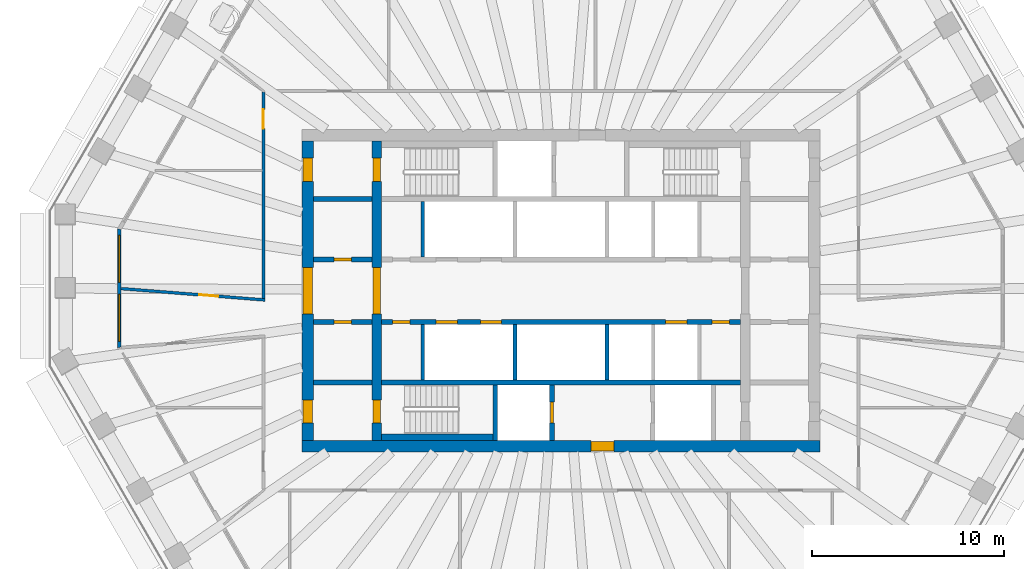
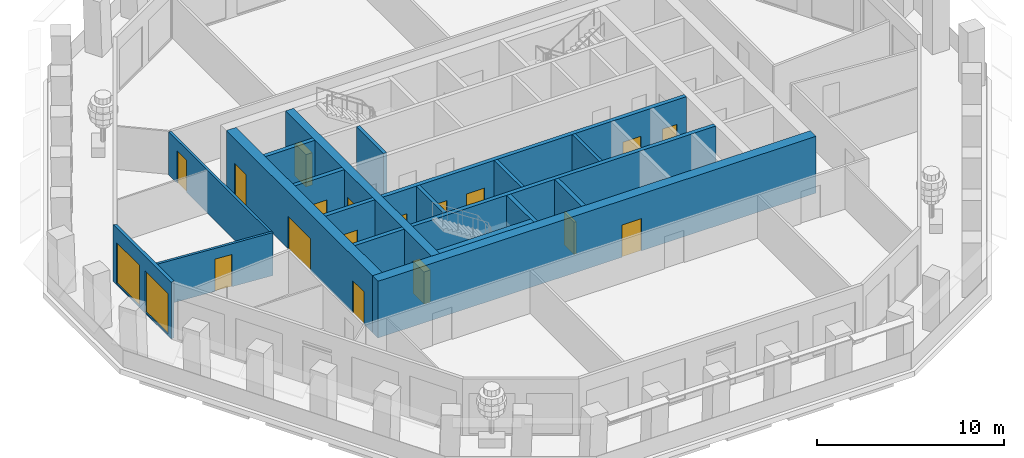
# One storey, part 4 of 12: 19 walls, 17 doors, 2 windows, 19 openings.
"""IFC4 building model written with IfcOpenShell, lengths in metres."""

from ifc_helpers import new_model, si_unit, direction, frame, frame_2d, origin, place, context, subcontext, project, spatial, polyline, rectangle, outline, extrude, material, layer, layer_set, type_object, element, fill, save


model = new_model("IFC4")

# Units and contexts
model_context = context("Model", 3, precision=1e-05, world=origin(), true_north=direction((0.0, 1.0)))
body_context = subcontext(model_context, "Body", "Model", "MODEL_VIEW")
ifc_project = project(units=[si_unit("LENGTHUNIT", "METRE"), si_unit("AREAUNIT", "SQUARE_METRE"), si_unit("VOLUMEUNIT", "CUBIC_METRE"), si_unit("PLANEANGLEUNIT", "RADIAN"), si_unit("MASSUNIT", "GRAM", prefix="KILO")], contexts=[model_context])

# Site, building, storey
site_placement = place(None, origin())
site = spatial("IfcSite", under=ifc_project, at=site_placement, CompositionType="ELEMENT")
building_placement = place(site_placement, origin())
building = spatial("IfcBuilding", under=site, at=building_placement, Name="Frailejon Research Tower", CompositionType="ELEMENT")
storey_placement = place(building_placement, frame((0.0, 0.0, 215.39990234375)))
storey = spatial("IfcBuildingStorey", under=building, at=storey_placement, Name="L46", CompositionType="ELEMENT", Elevation=215.39990234375)

# Wall, openings, doors
ifc_material_1 = material(Name="Concrete C60/75", Category="concrete")
ifc_layer_1 = layer(ifc_material_1, 0.5)
ifc_layer_set_1 = layer_set([ifc_layer_1], Name="Core shear wall 500 C60/75")
wall_type_1 = type_object("IfcWallType", Name="Core shear wall 500 C60/75", PredefinedType="SHEAR", material=ifc_layer_set_1)
wall_1_placement = place(storey_placement, frame((-9.60009765625, -7.800048828125, 0.0), z_axis=(0.0, 0.0, 1.0), x_axis=(0.0, 1.0, 0.0)))
wall_1 = element("IfcWall", 1, at=wall_1_placement, inside=storey, type_object=wall_type_1, Name="Core shear wall", PredefinedType="SHEAR", context=body_context, shape_type="SweptSolid", body=[
    extrude(rectangle(XDim=15.60009765625, YDim=0.5, at=frame_2d((7.800048828125, 0.0))), origin(), (0.0, 0.0, 1.0), 3.7001953125),
])
opening_1_placement = place(wall_1_placement, frame((6.60009765625, 0.0, 0.0)))
opening_1 = element("IfcOpeningElement", 2, at=opening_1_placement, cuts=wall_1, Name="Opening D2", PredefinedType="OPENING", context=body_context, shape_type="SweptSolid", body=[
    extrude(rectangle(XDim=2.39990234375, YDim=2.10009765625, at=frame_2d((1.199951171875, 1.050048828125))), frame((0.0, 0.260009765625, 0.0), z_axis=(0.0, -1.0, 0.0), x_axis=(1.0, 0.0, 0.0)), (0.0, 0.0, 1.0), 0.52001953125),
])
opening_2_placement = place(wall_1_placement, frame((13.5, 0.0, 0.0)))
opening_2 = element("IfcOpeningElement", 3, at=opening_2_placement, cuts=wall_1, Name="Opening D1", PredefinedType="OPENING", context=body_context, shape_type="SweptSolid", body=[
    extrude(rectangle(XDim=1.199951171875, YDim=2.10009765625, at=frame_2d((0.60009765625, 1.050048828125))), frame((0.0, 0.260009765625, 0.0), z_axis=(0.0, -1.0, 0.0), x_axis=(1.0, 0.0, 0.0)), (0.0, 0.0, 1.0), 0.52001953125),
])
opening_3_placement = place(wall_1_placement, frame((0.89990234375, 0.0, 0.0)))
opening_3 = element("IfcOpeningElement", 4, at=opening_3_placement, cuts=wall_1, Name="Opening D1", PredefinedType="OPENING", context=body_context, shape_type="SweptSolid", body=[
    extrude(rectangle(XDim=1.199951171875, YDim=2.10009765625, at=frame_2d((0.60009765625, 1.050048828125))), frame((0.0, 0.260009765625, 0.0), z_axis=(0.0, -1.0, 0.0), x_axis=(1.0, 0.0, 0.0)), (0.0, 0.0, 1.0), 0.52001953125),
])
ifc_material_2 = material(Name="Steel", Category="steel")
door_type_1 = type_object("IfcDoorType", Name="Lobby double door", OperationType="DOUBLE_DOOR_SINGLE_SWING", PredefinedType="DOOR", material=ifc_material_2)
door_1_placement = place(opening_1_placement, origin())
door_1 = element("IfcDoor", 5, at=door_1_placement, inside=storey, type_object=door_type_1, Name="Lobby door", OperationType="DOUBLE_DOOR_SINGLE_SWING", OverallHeight=2.10009765625, OverallWidth=2.39990234375, PredefinedType="DOOR", context=body_context, shape_type="SweptSolid", body=[
    extrude(rectangle(XDim=2.39990234375, YDim=2.10009765625, at=frame_2d((1.199951171875, 1.050048828125))), frame((0.0, 0.199951171875, 0.0), z_axis=(0.0, -1.0, 0.0), x_axis=(1.0, 0.0, 0.0)), (0.0, 0.0, 1.0), 0.39990234375),
])
fill(opening_1, door_1)
ifc_material_3 = material(Name="Steel", Category="steel")
door_type_2 = type_object("IfcDoorType", Name="Stair door", OperationType="SINGLE_SWING_LEFT", PredefinedType="DOOR", material=ifc_material_3)
door_2_placement = place(opening_2_placement, origin())
door_2 = element("IfcDoor", 6, at=door_2_placement, inside=storey, type_object=door_type_2, Name="Stair door ST1", OperationType="SINGLE_SWING_RIGHT", OverallHeight=2.10009765625, OverallWidth=1.199951171875, PredefinedType="DOOR", context=body_context, shape_type="SweptSolid", body=[
    extrude(rectangle(XDim=1.199951171875, YDim=2.10009765625, at=frame_2d((0.60009765625, 1.050048828125))), frame((0.0, 0.199951171875, 0.0), z_axis=(0.0, -1.0, 0.0), x_axis=(1.0, 0.0, 0.0)), (0.0, 0.0, 1.0), 0.39990234375),
])
fill(opening_2, door_2)
door_3_placement = place(opening_3_placement, origin())
door_3 = element("IfcDoor", 7, at=door_3_placement, inside=storey, type_object=door_type_2, Name="Stair door ST2", OperationType="SINGLE_SWING_RIGHT", OverallHeight=2.10009765625, OverallWidth=1.199951171875, PredefinedType="DOOR", context=body_context, shape_type="SweptSolid", body=[
    extrude(rectangle(XDim=1.199951171875, YDim=2.10009765625, at=frame_2d((0.60009765625, 1.050048828125))), frame((0.0, 0.199951171875, 0.0), z_axis=(0.0, -1.0, 0.0), x_axis=(1.0, 0.0, 0.0)), (0.0, 0.0, 1.0), 0.39990234375),
])
fill(opening_3, door_3)

# Wall, opening, door
ifc_material_4 = material(Name="Concrete C60/75", Category="concrete")
ifc_layer_2 = layer(ifc_material_4, 0.60009765625)
ifc_layer_set_2 = layer_set([ifc_layer_2], Name="Core shear wall 600 C60/75")
wall_type_2 = type_object("IfcWallType", Name="Core shear wall 600 C60/75", PredefinedType="SHEAR", material=ifc_layer_set_2)
wall_2_placement = place(storey_placement, frame((-13.5, -8.10009765625, 0.0), z_axis=(0.0, 0.0, 1.0), x_axis=(1.0, 0.0, 0.0)))
wall_2 = element("IfcWall", 8, at=wall_2_placement, inside=storey, type_object=wall_type_2, Name="Core shear wall", PredefinedType="SHEAR", context=body_context, shape_type="SweptSolid", body=[
    extrude(rectangle(XDim=27.0, YDim=0.60009765625, at=frame_2d((13.5, 0.0))), origin(), (0.0, 0.0, 1.0), 3.7001953125),
])
opening_4_placement = place(wall_2_placement, frame((15.050048828125, 0.0, 0.0)))
opening_4 = element("IfcOpeningElement", 9, at=opening_4_placement, cuts=wall_2, Name="Opening D3", PredefinedType="OPENING", context=body_context, shape_type="SweptSolid", body=[
    extrude(rectangle(XDim=1.199951171875, YDim=2.10009765625, at=frame_2d((0.60009765625, 1.050048828125))), frame((0.0, 0.31005859375, 0.0), z_axis=(0.0, -1.0, 0.0), x_axis=(1.0, 0.0, 0.0)), (0.0, 0.0, 1.0), 0.6201171875),
])
ifc_material_5 = material(Name="Steel", Category="steel")
door_type_3 = type_object("IfcDoorType", Name="Firefighting lobby door", OperationType="SINGLE_SWING_LEFT", PredefinedType="DOOR", material=ifc_material_5)
door_4_placement = place(opening_4_placement, origin())
door_4 = element("IfcDoor", 10, at=door_4_placement, inside=storey, type_object=door_type_3, Name="Firefighting lobby door", OperationType="SINGLE_SWING_RIGHT", OverallHeight=2.10009765625, OverallWidth=1.199951171875, PredefinedType="DOOR", context=body_context, shape_type="SweptSolid", body=[
    extrude(rectangle(XDim=1.199951171875, YDim=2.10009765625, at=frame_2d((0.60009765625, 1.050048828125))), frame((0.0, 0.25, 0.0), z_axis=(0.0, -1.0, 0.0), x_axis=(1.0, 0.0, 0.0)), (0.0, 0.0, 1.0), 0.5),
])
fill(opening_4, door_4)

# Wall, openings, doors
wall_3_placement = place(storey_placement, frame((-13.199951171875, -7.800048828125, 0.0), z_axis=(0.0, 0.0, 1.0), x_axis=(0.0, 1.0, 0.0)))
wall_3 = element("IfcWall", 11, at=wall_3_placement, inside=storey, type_object=wall_type_2, Name="Core shear wall", PredefinedType="SHEAR", context=body_context, shape_type="SweptSolid", body=[
    extrude(rectangle(XDim=15.60009765625, YDim=0.60009765625, at=frame_2d((7.800048828125, 0.0))), origin(), (0.0, 0.0, 1.0), 3.7001953125),
])
opening_5_placement = place(wall_3_placement, frame((6.60009765625, 0.0, 0.0)))
opening_5 = element("IfcOpeningElement", 12, at=opening_5_placement, cuts=wall_3, Name="Opening D2", PredefinedType="OPENING", context=body_context, shape_type="SweptSolid", body=[
    extrude(rectangle(XDim=2.39990234375, YDim=2.10009765625, at=frame_2d((1.199951171875, 1.050048828125))), frame((0.0, 0.31005859375, 0.0), z_axis=(0.0, -1.0, 0.0), x_axis=(1.0, 0.0, 0.0)), (0.0, 0.0, 1.0), 0.6201171875),
])
opening_6_placement = place(wall_3_placement, frame((13.5, 0.0, 0.0)))
opening_6 = element("IfcOpeningElement", 13, at=opening_6_placement, cuts=wall_3, Name="Opening D7", PredefinedType="OPENING", context=body_context, shape_type="SweptSolid", body=[
    extrude(rectangle(XDim=1.199951171875, YDim=2.10009765625, at=frame_2d((0.60009765625, 1.050048828125))), frame((0.0, 0.31005859375, 0.0), z_axis=(0.0, -1.0, 0.0), x_axis=(1.0, 0.0, 0.0)), (0.0, 0.0, 1.0), 0.6201171875),
])
opening_7_placement = place(wall_3_placement, frame((0.89990234375, 0.0, 0.0)))
opening_7 = element("IfcOpeningElement", 14, at=opening_7_placement, cuts=wall_3, Name="Opening D7", PredefinedType="OPENING", context=body_context, shape_type="SweptSolid", body=[
    extrude(rectangle(XDim=1.199951171875, YDim=2.10009765625, at=frame_2d((0.60009765625, 1.050048828125))), frame((0.0, 0.31005859375, 0.0), z_axis=(0.0, -1.0, 0.0), x_axis=(1.0, 0.0, 0.0)), (0.0, 0.0, 1.0), 0.6201171875),
])
door_5_placement = place(opening_5_placement, origin())
door_5 = element("IfcDoor", 15, at=door_5_placement, inside=storey, type_object=door_type_1, Name="Lobby door", OperationType="DOUBLE_DOOR_SINGLE_SWING", OverallHeight=2.10009765625, OverallWidth=2.39990234375, PredefinedType="DOOR", context=body_context, shape_type="SweptSolid", body=[
    extrude(rectangle(XDim=2.39990234375, YDim=2.10009765625, at=frame_2d((1.199951171875, 1.050048828125))), frame((0.0, 0.25, 0.0), z_axis=(0.0, -1.0, 0.0), x_axis=(1.0, 0.0, 0.0)), (0.0, 0.0, 1.0), 0.5),
])
fill(opening_5, door_5)
ifc_material_6 = material(Name="Steel", Category="steel")
door_type_4 = type_object("IfcDoorType", Name="Stair exit door", OperationType="SINGLE_SWING_LEFT", PredefinedType="DOOR", material=ifc_material_6)
door_6_placement = place(opening_6_placement, origin())
door_6 = element("IfcDoor", 16, at=door_6_placement, inside=storey, type_object=door_type_4, Name="Stair exit door ST1", OperationType="SINGLE_SWING_LEFT", OverallHeight=2.10009765625, OverallWidth=1.199951171875, PredefinedType="DOOR", context=body_context, shape_type="SweptSolid", body=[
    extrude(rectangle(XDim=1.199951171875, YDim=2.10009765625, at=frame_2d((0.60009765625, 1.050048828125))), frame((0.0, 0.25, 0.0), z_axis=(0.0, -1.0, 0.0), x_axis=(1.0, 0.0, 0.0)), (0.0, 0.0, 1.0), 0.5),
])
fill(opening_6, door_6)
door_7_placement = place(opening_7_placement, origin())
door_7 = element("IfcDoor", 17, at=door_7_placement, inside=storey, type_object=door_type_4, Name="Stair exit door ST2", OperationType="SINGLE_SWING_LEFT", OverallHeight=2.10009765625, OverallWidth=1.199951171875, PredefinedType="DOOR", context=body_context, shape_type="SweptSolid", body=[
    extrude(rectangle(XDim=1.199951171875, YDim=2.10009765625, at=frame_2d((0.60009765625, 1.050048828125))), frame((0.0, 0.25, 0.0), z_axis=(0.0, -1.0, 0.0), x_axis=(1.0, 0.0, 0.0)), (0.0, 0.0, 1.0), 0.5),
])
fill(opening_7, door_7)

# Wall, opening, door
ifc_material_7 = material(Name="Gypsum board and masonry partition", Category="masonry")
ifc_layer_3 = layer(ifc_material_7, 0.14990234375)
ifc_layer_set_3 = layer_set([ifc_layer_3], Name="Corridor wall EI 60, gypsum on steel studs 150")
wall_type_3 = type_object("IfcWallType", Name="Corridor wall EI 60, gypsum on steel studs 150", PredefinedType="PARTITIONING", material=ifc_layer_set_3)
wall_4_placement = place(storey_placement, frame((-15.5, -0.40087890625, 0.0), z_axis=(0.0, 0.0, 1.0), x_axis=(0.0, 1.0, 0.0)))
wall_4 = element("IfcWall", 18, at=wall_4_placement, inside=storey, type_object=wall_type_3, Name="T:IW:L46:005", PredefinedType="PARTITIONING", context=body_context, shape_type="SweptSolid", body=[
    extrude(rectangle(XDim=10.7509765625, YDim=0.14990234375, at=frame_2d((5.37548828125, 0.0))), origin(), (0.0, 0.0, 1.0), 2.800048828125),
])
opening_8_placement = place(wall_4_placement, frame((8.841552734375, 0.0, 0.0)))
opening_8 = element("IfcOpeningElement", 19, at=opening_8_placement, cuts=wall_4, Name="Opening D1952", PredefinedType="OPENING", context=body_context, shape_type="SweptSolid", body=[
    extrude(rectangle(XDim=1.0, YDim=2.10009765625, at=frame_2d((0.5, 1.050048828125))), frame((0.0, 0.0849609375, 0.0), z_axis=(0.0, -1.0, 0.0), x_axis=(1.0, 0.0, 0.0)), (0.0, 0.0, 1.0), 0.169921875),
])
ifc_material_8 = material(Name="Timber door leaf", Category="wood")
door_type_5 = type_object("IfcDoorType", Name="Door single leaf, timber, steel frame 1000", OperationType="NOTDEFINED", PredefinedType="DOOR", material=ifc_material_8)
door_8_placement = place(opening_8_placement, origin())
door_8 = element("IfcDoor", 20, at=door_8_placement, inside=storey, type_object=door_type_5, Name="D1952", OperationType="SINGLE_SWING_RIGHT", OverallHeight=2.10009765625, OverallWidth=1.0, PredefinedType="DOOR", context=body_context, shape_type="SweptSolid", body=[
    extrude(rectangle(XDim=1.0, YDim=2.10009765625, at=frame_2d((0.5, 1.050048828125))), frame((0.0, 0.02490234375, 0.0), z_axis=(0.0, -1.0, 0.0), x_axis=(1.0, 0.0, 0.0)), (0.0, 0.0, 1.0), 0.050048828125),
])
fill(opening_8, door_8)

wall_5_placement = place(storey_placement, frame((-22.906982421875, 0.10986328125, 0.0), z_axis=(0.0, 0.0, 1.0), x_axis=(0.996888805711, -0.078820739965, 0.0)))
wall_5 = element("IfcWall", 21, at=wall_5_placement, inside=storey, type_object=wall_type_3, Name="T:IW:L46:007", PredefinedType="PARTITIONING", context=body_context, shape_type="SweptSolid", body=[
    extrude(rectangle(XDim=7.505126953125, YDim=0.14990234375, at=frame_2d((3.75244140625, 0.0))), origin(), (0.0, 0.0, 1.0), 2.800048828125),
])
opening_9_placement = place(wall_5_placement, frame((4.07470703125, 0.0, 0.0)))
opening_9 = element("IfcOpeningElement", 22, at=opening_9_placement, cuts=wall_5, Name="Opening D1953", PredefinedType="OPENING", context=body_context, shape_type="SweptSolid", body=[
    extrude(rectangle(XDim=1.0, YDim=2.10009765625, at=frame_2d((0.5, 1.050048828125))), frame((0.0, 0.0849609375, 0.0), z_axis=(0.0, -1.0, 0.0), x_axis=(1.0, 0.0, 0.0)), (0.0, 0.0, 1.0), 0.169921875),
])
door_9_placement = place(opening_9_placement, origin())
door_9 = element("IfcDoor", 23, at=door_9_placement, inside=storey, type_object=door_type_5, Name="D1953", OperationType="SINGLE_SWING_RIGHT", OverallHeight=2.10009765625, OverallWidth=1.0, PredefinedType="DOOR", context=body_context, shape_type="SweptSolid", body=[
    extrude(rectangle(XDim=1.0, YDim=2.10009765625, at=frame_2d((0.5, 1.050048828125))), frame((0.0, 0.02490234375, 0.0), z_axis=(0.0, -1.0, 0.0), x_axis=(1.0, 0.0, 0.0)), (0.0, 0.0, 1.0), 0.050048828125),
])
fill(opening_9, door_9)

# Walls
ifc_material_9 = material(Name="Concrete C60/75", Category="concrete")
ifc_layer_4 = layer(ifc_material_9, 0.199951171875)
ifc_layer_set_4 = layer_set([ifc_layer_4], Name="Shaft wall 200 C60/75")
wall_type_4 = type_object("IfcWallType", Name="Shaft wall 200 C60/75", PredefinedType="SOLIDWALL", material=ifc_layer_set_4)
for number, where, z_axis, x_axis, name in (
    (24, (-7.199951171875, 1.75, 0.0), (0.0, 0.0, 1.0), (0.0, 1.0, 0.0), "Shaft wall"),
    (25, (-7.199951171875, -4.64990234375, 0.0), (0.0, 0.0, 1.0), (0.0, 1.0, 0.0), "Shaft wall"),
    (26, (-2.39990234375, -4.64990234375, 0.0), (0.0, 0.0, 1.0), (0.0, 1.0, 0.0), "Shaft wall"),
    (27, (2.39990234375, -4.64990234375, 0.0), (0.0, 0.0, 1.0), (0.0, 1.0, 0.0), "Shaft wall"),
):
    element("IfcWall", number, at=place(storey_placement, frame(where, z_axis=z_axis, x_axis=x_axis)), inside=storey, type_object=wall_type_4, Name=name, PredefinedType="SOLIDWALL", context=body_context, shape_type="SweptSolid", body=[
        extrude(rectangle(XDim=2.89990234375, YDim=0.199951171875, at=frame_2d((1.449951171875, 0.0))), origin(), (0.0, 0.0, 1.0), 3.7001953125),
    ])

# Wall, opening, door
ifc_material_10 = material(Name="Concrete C60/75", Category="concrete")
ifc_layer_5 = layer(ifc_material_10, 0.25)
ifc_layer_set_5 = layer_set([ifc_layer_5], Name="Shaft wall 250 C60/75")
wall_type_5 = type_object("IfcWallType", Name="Shaft wall 250 C60/75", PredefinedType="SOLIDWALL", material=ifc_layer_set_5)
wall_6_placement = place(storey_placement, frame((-12.89990234375, 1.625, 0.0), z_axis=(0.0, 0.0, 1.0), x_axis=(1.0, 0.0, 0.0)))
wall_6 = element("IfcWall", 28, at=wall_6_placement, inside=storey, type_object=wall_type_5, Name="Shaft wall", PredefinedType="SOLIDWALL", context=body_context, shape_type="SweptSolid", body=[
    extrude(rectangle(XDim=3.0498046875, YDim=0.25, at=frame_2d((1.52490234375, 0.0))), origin(), (0.0, 0.0, 1.0), 3.7001953125),
])
opening_10_placement = place(wall_6_placement, frame((1.074951171875, 0.0, 0.0)))
opening_10 = element("IfcOpeningElement", 29, at=opening_10_placement, cuts=wall_6, Name="Opening D8", PredefinedType="OPENING", context=body_context, shape_type="SweptSolid", body=[
    extrude(rectangle(XDim=0.89990234375, YDim=2.10009765625, at=frame_2d((0.449951171875, 1.050048828125))), frame((0.0, 0.135009765625, 0.0), z_axis=(0.0, -1.0, 0.0), x_axis=(1.0, 0.0, 0.0)), (0.0, 0.0, 1.0), 0.27001953125),
])
ifc_material_11 = material(Name="Steel", Category="steel")
door_type_6 = type_object("IfcDoorType", Name="Core room door", OperationType="SINGLE_SWING_LEFT", PredefinedType="DOOR", material=ifc_material_11)
door_10_placement = place(opening_10_placement, origin())
door_10 = element("IfcDoor", 30, at=door_10_placement, inside=storey, type_object=door_type_6, Name="Room door", OperationType="SINGLE_SWING_RIGHT", OverallHeight=2.10009765625, OverallWidth=0.89990234375, PredefinedType="DOOR", context=body_context, shape_type="SweptSolid", body=[
    extrude(rectangle(XDim=0.89990234375, YDim=2.10009765625, at=frame_2d((0.449951171875, 1.050048828125))), frame((0.0, 0.074951171875, 0.0), z_axis=(0.0, -1.0, 0.0), x_axis=(1.0, 0.0, 0.0)), (0.0, 0.0, 1.0), 0.14990234375),
])
fill(opening_10, door_10)

# Wall
wall_7_placement = place(storey_placement, frame((-12.89990234375, 4.77490234375, 0.0), z_axis=(0.0, 0.0, 1.0), x_axis=(1.0, 0.0, 0.0)))
element("IfcWall", 31, at=wall_7_placement, inside=storey, type_object=wall_type_5, Name="Shaft wall", PredefinedType="SOLIDWALL", context=body_context, shape_type="SweptSolid", body=[
    extrude(rectangle(XDim=3.0498046875, YDim=0.25, at=frame_2d((1.52490234375, 0.0))), origin(), (0.0, 0.0, 1.0), 3.7001953125),
])

# Wall, opening, door
wall_8_placement = place(storey_placement, frame((-12.89990234375, -1.625, 0.0), z_axis=(0.0, 0.0, 1.0), x_axis=(1.0, 0.0, 0.0)))
wall_8 = element("IfcWall", 32, at=wall_8_placement, inside=storey, type_object=wall_type_5, Name="Shaft wall", PredefinedType="SOLIDWALL", context=body_context, shape_type="SweptSolid", body=[
    extrude(rectangle(XDim=3.0498046875, YDim=0.25, at=frame_2d((1.52490234375, 0.0))), origin(), (0.0, 0.0, 1.0), 3.7001953125),
])
opening_11_placement = place(wall_8_placement, frame((1.074951171875, 0.0, 0.0)))
opening_11 = element("IfcOpeningElement", 33, at=opening_11_placement, cuts=wall_8, Name="Opening D8", PredefinedType="OPENING", context=body_context, shape_type="SweptSolid", body=[
    extrude(rectangle(XDim=0.89990234375, YDim=2.10009765625, at=frame_2d((0.449951171875, 1.050048828125))), frame((0.0, 0.135009765625, 0.0), z_axis=(0.0, -1.0, 0.0), x_axis=(1.0, 0.0, 0.0)), (0.0, 0.0, 1.0), 0.27001953125),
])
door_11_placement = place(opening_11_placement, origin())
door_11 = element("IfcDoor", 34, at=door_11_placement, inside=storey, type_object=door_type_6, Name="Room door", OperationType="SINGLE_SWING_RIGHT", OverallHeight=2.10009765625, OverallWidth=0.89990234375, PredefinedType="DOOR", context=body_context, shape_type="SweptSolid", body=[
    extrude(rectangle(XDim=0.89990234375, YDim=2.10009765625, at=frame_2d((0.449951171875, 1.050048828125))), frame((0.0, 0.074951171875, 0.0), z_axis=(0.0, -1.0, 0.0), x_axis=(1.0, 0.0, 0.0)), (0.0, 0.0, 1.0), 0.14990234375),
])
fill(opening_11, door_11)

# Wall, openings, doors
wall_9_placement = place(storey_placement, frame((-9.35009765625, -1.625, 0.0), z_axis=(0.0, 0.0, 1.0), x_axis=(1.0, 0.0, 0.0)))
wall_9 = element("IfcWall", 35, at=wall_9_placement, inside=storey, type_object=wall_type_5, Name="Shaft wall", PredefinedType="SOLIDWALL", context=body_context, shape_type="SweptSolid", body=[
    extrude(rectangle(XDim=18.7001953125, YDim=0.25, at=frame_2d((9.35009765625, 0.0))), origin(), (0.0, 0.0, 1.0), 3.7001953125),
])
opening_12_placement = place(wall_9_placement, frame((2.85009765625, 0.0, 0.0)))
opening_12 = element("IfcOpeningElement", 36, at=opening_12_placement, cuts=wall_9, Name="Opening LD", PredefinedType="OPENING", context=body_context, shape_type="SweptSolid", body=[
    extrude(rectangle(XDim=1.10009765625, YDim=2.10009765625, at=frame_2d((0.550048828125, 1.050048828125))), frame((0.0, 0.135009765625, 0.0), z_axis=(0.0, -1.0, 0.0), x_axis=(1.0, 0.0, 0.0)), (0.0, 0.0, 1.0), 0.27001953125),
])
opening_13_placement = place(wall_9_placement, frame((5.14990234375, 0.0, 0.0)))
opening_13 = element("IfcOpeningElement", 37, at=opening_13_placement, cuts=wall_9, Name="Opening LD", PredefinedType="OPENING", context=body_context, shape_type="SweptSolid", body=[
    extrude(rectangle(XDim=1.10009765625, YDim=2.10009765625, at=frame_2d((0.550048828125, 1.050048828125))), frame((0.0, 0.135009765625, 0.0), z_axis=(0.0, -1.0, 0.0), x_axis=(1.0, 0.0, 0.0)), (0.0, 0.0, 1.0), 0.27001953125),
])
opening_14_placement = place(wall_9_placement, frame((14.800048828125, 0.0, 0.0)))
opening_14 = element("IfcOpeningElement", 38, at=opening_14_placement, cuts=wall_9, Name="Opening LD", PredefinedType="OPENING", context=body_context, shape_type="SweptSolid", body=[
    extrude(rectangle(XDim=1.10009765625, YDim=2.10009765625, at=frame_2d((0.550048828125, 1.050048828125))), frame((0.0, 0.135009765625, 0.0), z_axis=(0.0, -1.0, 0.0), x_axis=(1.0, 0.0, 0.0)), (0.0, 0.0, 1.0), 0.27001953125),
])
opening_15_placement = place(wall_9_placement, frame((0.574951171875, 0.0, 0.0)))
opening_15 = element("IfcOpeningElement", 39, at=opening_15_placement, cuts=wall_9, Name="Opening D8", PredefinedType="OPENING", context=body_context, shape_type="SweptSolid", body=[
    extrude(rectangle(XDim=0.89990234375, YDim=2.10009765625, at=frame_2d((0.449951171875, 1.050048828125))), frame((0.0, 0.135009765625, 0.0), z_axis=(0.0, -1.0, 0.0), x_axis=(1.0, 0.0, 0.0)), (0.0, 0.0, 1.0), 0.27001953125),
])
opening_16_placement = place(wall_9_placement, frame((17.22509765625, 0.0, 0.0)))
opening_16 = element("IfcOpeningElement", 40, at=opening_16_placement, cuts=wall_9, Name="Opening D8", PredefinedType="OPENING", context=body_context, shape_type="SweptSolid", body=[
    extrude(rectangle(XDim=0.89990234375, YDim=2.10009765625, at=frame_2d((0.449951171875, 1.050048828125))), frame((0.0, 0.135009765625, 0.0), z_axis=(0.0, -1.0, 0.0), x_axis=(1.0, 0.0, 0.0)), (0.0, 0.0, 1.0), 0.27001953125),
])
door_12_placement = place(opening_15_placement, origin())
door_12 = element("IfcDoor", 41, at=door_12_placement, inside=storey, type_object=door_type_6, Name="Room door", OperationType="SINGLE_SWING_LEFT", OverallHeight=2.10009765625, OverallWidth=0.89990234375, PredefinedType="DOOR", context=body_context, shape_type="SweptSolid", body=[
    extrude(rectangle(XDim=0.89990234375, YDim=2.10009765625, at=frame_2d((0.449951171875, 1.050048828125))), frame((0.0, 0.074951171875, 0.0), z_axis=(0.0, -1.0, 0.0), x_axis=(1.0, 0.0, 0.0)), (0.0, 0.0, 1.0), 0.14990234375),
])
fill(opening_15, door_12)
door_13_placement = place(opening_16_placement, origin())
door_13 = element("IfcDoor", 42, at=door_13_placement, inside=storey, type_object=door_type_6, Name="Room door", OperationType="SINGLE_SWING_RIGHT", OverallHeight=2.10009765625, OverallWidth=0.89990234375, PredefinedType="DOOR", context=body_context, shape_type="SweptSolid", body=[
    extrude(rectangle(XDim=0.89990234375, YDim=2.10009765625, at=frame_2d((0.449951171875, 1.050048828125))), frame((0.0, 0.074951171875, 0.0), z_axis=(0.0, -1.0, 0.0), x_axis=(1.0, 0.0, 0.0)), (0.0, 0.0, 1.0), 0.14990234375),
])
fill(opening_16, door_13)
ifc_material_12 = material(Name="Steel", Category="steel")
door_type_7 = type_object("IfcDoorType", Name="Lift landing door", OperationType="DOUBLE_DOOR_SLIDING", PredefinedType="DOOR", material=ifc_material_12)
door_14_placement = place(opening_12_placement, origin())
door_14 = element("IfcDoor", 43, at=door_14_placement, inside=storey, type_object=door_type_7, Name="Lift landing door", OperationType="DOUBLE_DOOR_SLIDING", OverallHeight=2.10009765625, OverallWidth=1.10009765625, PredefinedType="DOOR", context=body_context, shape_type="SweptSolid", body=[
    extrude(rectangle(XDim=1.10009765625, YDim=2.10009765625, at=frame_2d((0.550048828125, 1.050048828125))), frame((0.0, 0.074951171875, 0.0), z_axis=(0.0, -1.0, 0.0), x_axis=(1.0, 0.0, 0.0)), (0.0, 0.0, 1.0), 0.14990234375),
])
fill(opening_12, door_14)
door_15_placement = place(opening_13_placement, origin())
door_15 = element("IfcDoor", 44, at=door_15_placement, inside=storey, type_object=door_type_7, Name="Lift landing door", OperationType="DOUBLE_DOOR_SLIDING", OverallHeight=2.10009765625, OverallWidth=1.10009765625, PredefinedType="DOOR", context=body_context, shape_type="SweptSolid", body=[
    extrude(rectangle(XDim=1.10009765625, YDim=2.10009765625, at=frame_2d((0.550048828125, 1.050048828125))), frame((0.0, 0.074951171875, 0.0), z_axis=(0.0, -1.0, 0.0), x_axis=(1.0, 0.0, 0.0)), (0.0, 0.0, 1.0), 0.14990234375),
])
fill(opening_13, door_15)
door_16_placement = place(opening_14_placement, origin())
door_16 = element("IfcDoor", 45, at=door_16_placement, inside=storey, type_object=door_type_7, Name="Lift landing door", OperationType="DOUBLE_DOOR_SLIDING", OverallHeight=2.10009765625, OverallWidth=1.10009765625, PredefinedType="DOOR", context=body_context, shape_type="SweptSolid", body=[
    extrude(rectangle(XDim=1.10009765625, YDim=2.10009765625, at=frame_2d((0.550048828125, 1.050048828125))), frame((0.0, 0.074951171875, 0.0), z_axis=(0.0, -1.0, 0.0), x_axis=(1.0, 0.0, 0.0)), (0.0, 0.0, 1.0), 0.14990234375),
])
fill(opening_14, door_16)

# Walls
wall_10_placement = place(storey_placement, frame((-12.89990234375, -4.77490234375, 0.0), z_axis=(0.0, 0.0, 1.0), x_axis=(1.0, 0.0, 0.0)))
element("IfcWall", 46, at=wall_10_placement, inside=storey, type_object=wall_type_5, Name="Shaft wall", PredefinedType="SOLIDWALL", context=body_context, shape_type="SweptSolid", body=[
    extrude(rectangle(XDim=3.0498046875, YDim=0.25, at=frame_2d((1.52490234375, 0.0))), origin(), (0.0, 0.0, 1.0), 3.7001953125),
])
wall_11_placement = place(storey_placement, frame((-9.35009765625, -4.77490234375, 0.0), z_axis=(0.0, 0.0, 1.0), x_axis=(1.0, 0.0, 0.0)))
element("IfcWall", 47, at=wall_11_placement, inside=storey, type_object=wall_type_5, Name="Shaft wall", PredefinedType="SOLIDWALL", context=body_context, shape_type="SweptSolid", body=[
    extrude(rectangle(XDim=18.7001953125, YDim=0.25, at=frame_2d((9.35009765625, 0.0))), origin(), (0.0, 0.0, 1.0), 3.7001953125),
])
wall_12_placement = place(storey_placement, frame((-3.425048828125, -7.800048828125, 0.0), z_axis=(0.0, 0.0, 1.0), x_axis=(0.0, 1.0, 0.0)))
element("IfcWall", 48, at=wall_12_placement, inside=storey, type_object=wall_type_5, Name="Shaft wall", PredefinedType="SOLIDWALL", context=body_context, shape_type="SweptSolid", body=[
    extrude(rectangle(XDim=2.900146484375, YDim=0.25, at=frame_2d((1.4501953125, 0.0))), origin(), (0.0, 0.0, 1.0), 3.7001953125),
])

# Wall, opening, door
wall_13_placement = place(storey_placement, frame((-0.47509765625, -7.800048828125, 0.0), z_axis=(0.0, 0.0, 1.0), x_axis=(0.0, 1.0, 0.0)))
wall_13 = element("IfcWall", 49, at=wall_13_placement, inside=storey, type_object=wall_type_5, Name="Shaft wall", PredefinedType="SOLIDWALL", context=body_context, shape_type="SweptSolid", body=[
    extrude(rectangle(XDim=2.900146484375, YDim=0.25, at=frame_2d((1.4501953125, 0.0))), origin(), (0.0, 0.0, 1.0), 3.7001953125),
])
opening_17_placement = place(wall_13_placement, frame((0.89990234375, 0.0, 0.0)))
opening_17 = element("IfcOpeningElement", 50, at=opening_17_placement, cuts=wall_13, Name="Opening LD", PredefinedType="OPENING", context=body_context, shape_type="SweptSolid", body=[
    extrude(rectangle(XDim=1.10009765625, YDim=2.10009765625, at=frame_2d((0.550048828125, 1.050048828125))), frame((0.0, 0.135009765625, 0.0), z_axis=(0.0, -1.0, 0.0), x_axis=(1.0, 0.0, 0.0)), (0.0, 0.0, 1.0), 0.27001953125),
])
door_17_placement = place(opening_17_placement, origin())
door_17 = element("IfcDoor", 51, at=door_17_placement, inside=storey, type_object=door_type_7, Name="Lift landing door", OperationType="DOUBLE_DOOR_SLIDING", OverallHeight=2.10009765625, OverallWidth=1.10009765625, PredefinedType="DOOR", context=body_context, shape_type="SweptSolid", body=[
    extrude(rectangle(XDim=1.10009765625, YDim=2.10009765625, at=frame_2d((0.550048828125, 1.050048828125))), frame((0.0, 0.074951171875, 0.0), z_axis=(0.0, -1.0, 0.0), x_axis=(1.0, 0.0, 0.0)), (0.0, 0.0, 1.0), 0.14990234375),
])
fill(opening_17, door_17)

# Wall
ifc_material_13 = material(Name="Concrete C60/75", Category="concrete")
ifc_layer_6 = layer(ifc_material_13, 0.35009765625)
ifc_layer_set_6 = layer_set([ifc_layer_6], Name="Shaft wall 350 C60/75")
wall_type_6 = type_object("IfcWallType", Name="Shaft wall 350 C60/75", PredefinedType="SOLIDWALL", material=ifc_layer_set_6)
wall_14_placement = place(storey_placement, frame((-9.35009765625, -7.625, 0.0), z_axis=(0.0, 0.0, 1.0), x_axis=(1.0, 0.0, 0.0)))
element("IfcWall", 52, at=wall_14_placement, inside=storey, type_object=wall_type_6, Name="Shaft wall", PredefinedType="SOLIDWALL", context=body_context, shape_type="SweptSolid", body=[
    extrude(rectangle(XDim=5.800048828125, YDim=0.35009765625, at=frame_2d((2.89990234375, 0.0))), origin(), (0.0, 0.0, 1.0), 3.7001953125),
])

# Wall, openings, windows
ifc_material_14 = material(Name="Concrete C40/50 precast window wall panel", Category="concrete")
ifc_layer_7 = layer(ifc_material_14, 0.199951171875)
ifc_layer_set_7 = layer_set([ifc_layer_7], Name="Window wall 200")
wall_type_7 = type_object("IfcWallType", Name="Window wall 200", PredefinedType="SOLIDWALL", material=ifc_layer_set_7)
wall_15_placement = place(storey_placement, frame((-23.007080078125, 3.2021484375, 0.0), z_axis=(0.0, 0.0, 1.0), x_axis=(0.0, -1.0, 0.0)))
wall_15 = element("IfcWall", 53, at=wall_15_placement, inside=storey, type_object=wall_type_7, Name="Exterior wall L46", PredefinedType="SOLIDWALL", context=body_context, shape_type="SweptSolid", body=[
    extrude(outline(polyline([(-0.02685546875, -0.10009765625), (1.007568359375, -0.10009765625), (2.0419921875, -0.10009765625), (3.076416015625, -0.10009765625), (4.11083984375, -0.10009765625), (5.145263671875, -0.10009765625), (6.1796875, -0.10009765625), (6.1259765625, 0.10009765625), (5.109375, 0.10009765625), (4.093017578125, 0.10009765625), (3.076416015625, 0.10009765625), (2.059814453125, 0.10009765625), (1.04345703125, 0.10009765625), (0.02685546875, 0.10009765625), (-0.02685546875, -0.10009765625)])), origin(), (0.0, 0.0, 1.0), 3.7001953125),
])
opening_18_placement = place(wall_15_placement, frame((0.313232421875, 0.0, 0.10009765625)))
opening_18 = element("IfcOpeningElement", 54, at=opening_18_placement, cuts=wall_15, Name="Opening W17", PredefinedType="OPENING", context=body_context, shape_type="SweptSolid", body=[
    extrude(rectangle(XDim=2.449951171875, YDim=2.64990234375, at=frame_2d((1.22509765625, 1.324951171875))), frame((0.0, 0.10986328125, 0.0), z_axis=(0.0, -1.0, 0.0), x_axis=(1.0, 0.0, 0.0)), (0.0, 0.0, 1.0), 0.219970703125),
])
opening_19_placement = place(wall_15_placement, frame((3.3896484375, 0.0, 0.10009765625)))
opening_19 = element("IfcOpeningElement", 55, at=opening_19_placement, cuts=wall_15, Name="Opening W17", PredefinedType="OPENING", context=body_context, shape_type="SweptSolid", body=[
    extrude(rectangle(XDim=2.449951171875, YDim=2.64990234375, at=frame_2d((1.22509765625, 1.324951171875))), frame((0.0, 0.10986328125, 0.0), z_axis=(0.0, -1.0, 0.0), x_axis=(1.0, 0.0, 0.0)), (0.0, 0.0, 1.0), 0.219970703125),
])
ifc_material_15 = material(Name="Aluminium framed double glazing", Category="aluminium")
window_type = type_object("IfcWindowType", Name="Window 2450x2650", PartitioningType="SINGLE_PANEL", PredefinedType="WINDOW", material=ifc_material_15)
window_1_placement = place(opening_18_placement, origin())
window_1 = element("IfcWindow", 56, at=window_1_placement, inside=storey, type_object=window_type, Name="Window L46", OverallHeight=2.64990234375, OverallWidth=2.449951171875, PartitioningType="SINGLE_PANEL", PredefinedType="WINDOW", context=body_context, shape_type="SweptSolid", body=[
    extrude(rectangle(XDim=2.449951171875, YDim=2.64990234375, at=frame_2d((1.22509765625, 1.324951171875))), frame((0.0, 0.030029296875, 0.0), z_axis=(0.0, -1.0, 0.0), x_axis=(1.0, 0.0, 0.0)), (0.0, 0.0, 1.0), 0.06005859375),
])
fill(opening_18, window_1)
window_2_placement = place(opening_19_placement, origin())
window_2 = element("IfcWindow", 57, at=window_2_placement, inside=storey, type_object=window_type, Name="Window L46", OverallHeight=2.64990234375, OverallWidth=2.449951171875, PartitioningType="SINGLE_PANEL", PredefinedType="WINDOW", context=body_context, shape_type="SweptSolid", body=[
    extrude(rectangle(XDim=2.449951171875, YDim=2.64990234375, at=frame_2d((1.22509765625, 1.324951171875))), frame((0.0, 0.030029296875, 0.0), z_axis=(0.0, -1.0, 0.0), x_axis=(1.0, 0.0, 0.0)), (0.0, 0.0, 1.0), 0.06005859375),
])
fill(opening_19, window_2)

save(model, "model.ifc")
